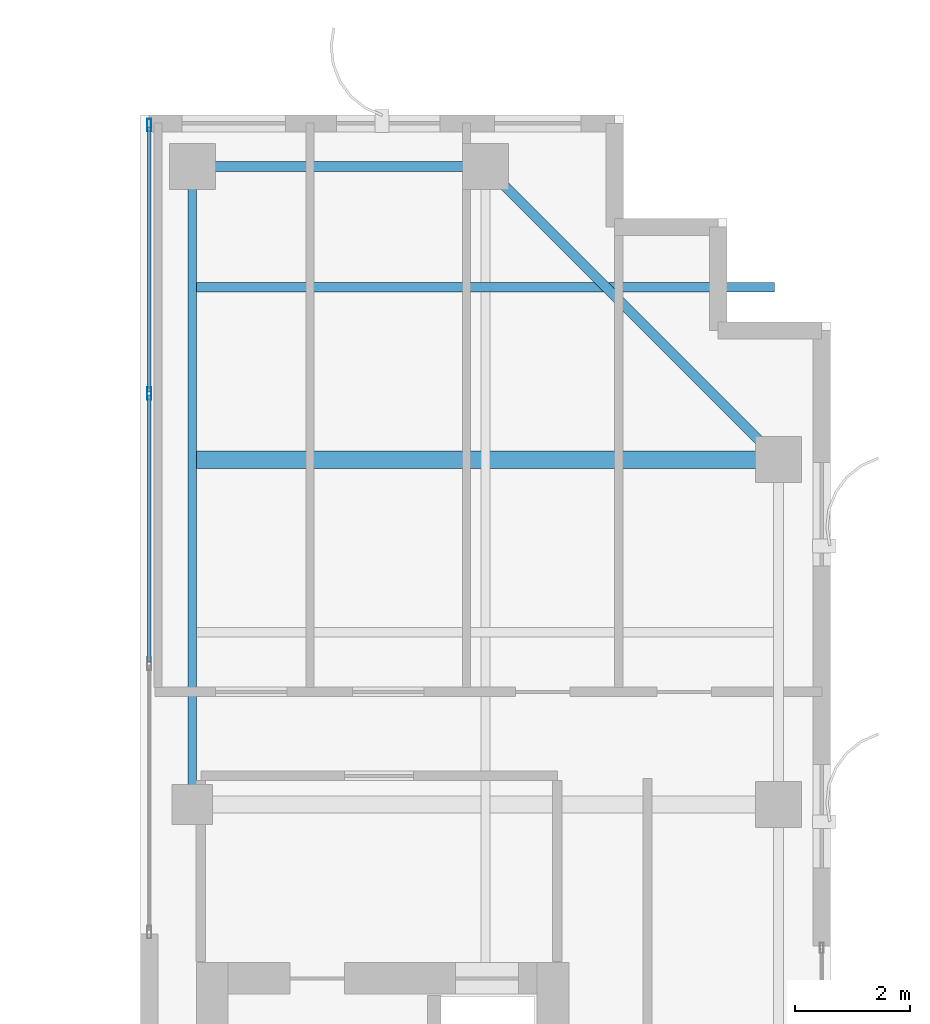
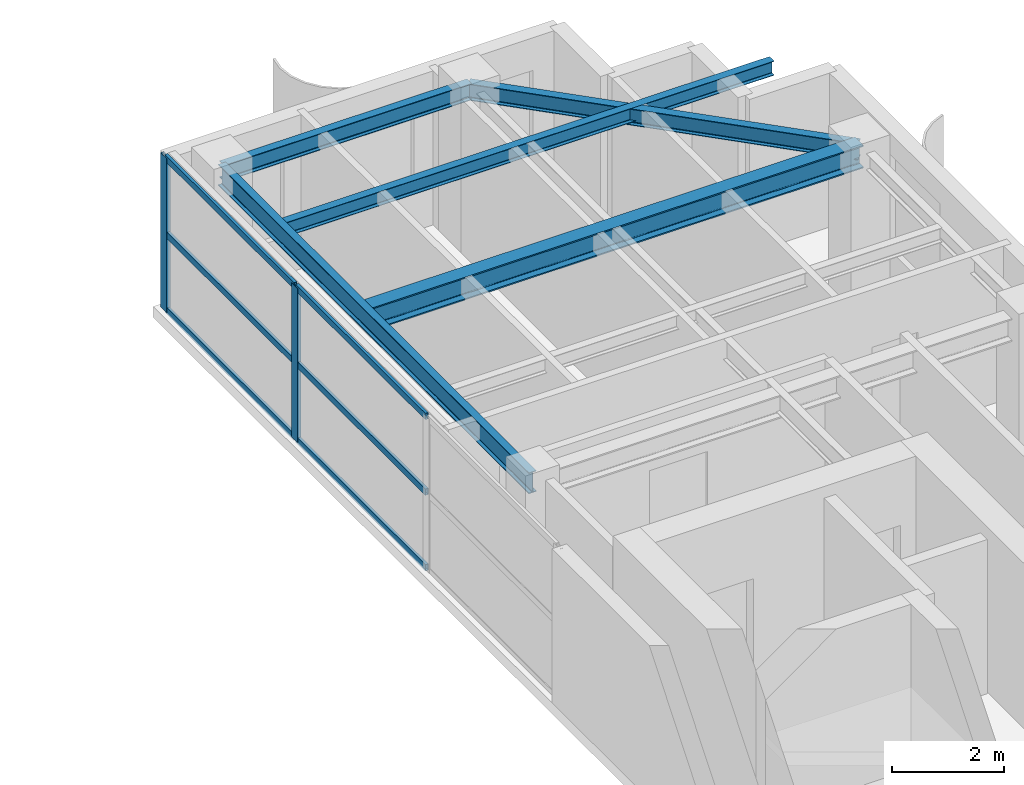
# One storey, part 15 of 23: 8 members, 5 beams, 1 element without a shape of its own.
"""IFC4 building model written with IfcOpenShell, lengths in metres."""

import ifcopenshell
import ifcopenshell.guid

model = None  # the IFC model being written
_history = None  # IfcOwnerHistory: only IFC2X3 demands one
_inside = {}  # id of a spatial element -> (the spatial element, [elements in it])
_under = {}  # id of a project, library or spatial element -> (it, [spatial elements below it])
_declared = {}  # id of a project -> (the project, [libraries it declares])
_typed = {}  # id of a type object -> (the type object, [elements of that type])
_made_of = {}  # id of a material, layer set ... -> (it, [elements and type objects made of it])


def new_model(schema):
    """Start an empty IFC model of exactly this schema.

    Asked for "IFC4X3", IfcOpenShell would pick the latest addendum, in which some entities
    have other attributes; the version numbers below select the first issue.
    IFC2X3 requires an IfcOwnerHistory on every rooted entity: one is made here for all.
    """
    global model, _history
    if schema == "IFC4X3":
        model = ifcopenshell.file(schema_version=(4, 3, 0, 0))
    else:
        model = ifcopenshell.file(schema=schema)
    _inside.clear()
    _under.clear()
    _declared.clear()
    _typed.clear()
    _made_of.clear()
    _history = None
    if model.schema == "IFC2X3":
        org = make("IfcOrganization", Name="unknown")
        user = make(
            "IfcPersonAndOrganization",
            ThePerson=make("IfcPerson", FamilyName="unknown"),
            TheOrganization=org,
        )
        app = make(
            "IfcApplication",
            ApplicationDeveloper=org,
            Version="unknown",
            ApplicationFullName="unknown",
            ApplicationIdentifier="unknown",
        )
        _history = make(
            "IfcOwnerHistory",
            OwningUser=user,
            OwningApplication=app,
            ChangeAction="ADDED",
            CreationDate=0,
        )
    return model


def make(cls, **values):
    """One entity of the class cls with the attributes given. An attribute that is None is left unset."""
    return model.create_entity(
        cls, **{name: value for name, value in values.items() if value is not None}
    )


def rooted(cls, **values):
    """An entity with a GlobalId (a new one), such as an element, a storey or a relation."""
    return make(cls, GlobalId=ifcopenshell.guid.new(), OwnerHistory=_history, **values)


def si_unit(unit_type, name, prefix=None):
    """IfcSIUnit, for example si_unit("LENGTHUNIT", "METRE", prefix="MILLI")."""
    return make("IfcSIUnit", UnitType=unit_type, Prefix=prefix, Name=name)


def assignment(units):
    """IfcUnitAssignment: the units of a project."""
    return None if units is None else make("IfcUnitAssignment", Units=units)


def point(xyz):
    """IfcCartesianPoint."""
    return None if xyz is None else make("IfcCartesianPoint", Coordinates=xyz)


def direction(xyz):
    """IfcDirection."""
    return None if xyz is None else make("IfcDirection", DirectionRatios=xyz)


def frame(location, z_axis=None, x_axis=None):
    """IfcAxis2Placement3D, a coordinate frame: its origin and axes. An axis left out is left unset."""
    return make(
        "IfcAxis2Placement3D",
        Location=point(location),
        Axis=direction(z_axis),
        RefDirection=direction(x_axis),
    )


def frame_2d(location, x_axis=None):
    """IfcAxis2Placement2D, a coordinate frame in the plane: its origin and x axis."""
    return make(
        "IfcAxis2Placement2D", Location=point(location), RefDirection=direction(x_axis)
    )


def origin():
    """The frame at (0, 0, 0) with its axes left unset."""
    return frame((0.0, 0.0, 0.0))


def origin_2d():
    """The frame at (0, 0) in the plane with its x axis left unset."""
    return frame_2d((0.0, 0.0))


def place(relative_to, where):
    """IfcLocalPlacement: puts the frame where relative to a parent placement (None: the world)."""
    return make(
        "IfcLocalPlacement", PlacementRelTo=relative_to, RelativePlacement=where
    )


def context(
    kind, dimensions, precision=None, world=None, true_north=None, identifier=None
):
    """IfcGeometricRepresentationContext, for example the 3D "Model" context."""
    return make(
        "IfcGeometricRepresentationContext",
        ContextIdentifier=identifier,
        ContextType=kind,
        CoordinateSpaceDimension=dimensions,
        Precision=precision,
        WorldCoordinateSystem=world,
        TrueNorth=true_north,
    )


def subcontext(parent, identifier, kind, view, scale=None):
    """IfcGeometricRepresentationSubContext, for example "Body" below "Model"."""
    return make(
        "IfcGeometricRepresentationSubContext",
        ContextIdentifier=identifier,
        ContextType=kind,
        ParentContext=parent,
        TargetScale=scale,
        TargetView=view,
    )


def project(units=None, contexts=None):
    """IfcProject with its units and contexts."""
    return rooted(
        "IfcProject",
        Name="project",
        RepresentationContexts=contexts,
        UnitsInContext=assignment(units),
    )


def spatial(cls, under=None, at=None, **own):
    """A site, building, storey or space (cls), placed at a placement, below another one or the project."""
    s = rooted(cls, ObjectPlacement=at, **own)
    if under is not None:
        _under.setdefault(under.id(), (under, []))[1].append(s)
    return s


def profile(cls, at=None, kind="AREA", **sizes):
    """A parametric profile (cls). Its sizes go by their IFC names, for example OverallWidth=200.0."""
    return make(cls, ProfileType=kind, Position=at, **sizes)


def hollow_rectangle(**sizes):
    """IfcRectangleHollowProfileDef."""
    return profile("IfcRectangleHollowProfileDef", **sizes)


def i_section(**sizes):
    """IfcIShapeProfileDef."""
    return profile("IfcIShapeProfileDef", **sizes)


def extrude(swept, where, along, depth):
    """IfcExtrudedAreaSolid: the profile swept, set in the frame where, extruded along a direction by depth."""
    return make(
        "IfcExtrudedAreaSolid",
        SweptArea=swept,
        Position=where,
        ExtrudedDirection=direction(along),
        Depth=depth,
    )


def shape(context_of_items, identifier, shape_type, items):
    """IfcShapeRepresentation: the items that make up one representation, for example the "Body"."""
    return make(
        "IfcShapeRepresentation",
        ContextOfItems=context_of_items,
        RepresentationIdentifier=identifier,
        RepresentationType=shape_type,
        Items=items,
    )


def source(mapping_origin, context_of_items, identifier, shape_type, items):
    """IfcRepresentationMap: a shape defined once, which mapped items show again and again."""
    return make(
        "IfcRepresentationMap",
        MappingOrigin=mapping_origin,
        MappedRepresentation=shape(context_of_items, identifier, shape_type, items),
    )


def transform(
    local_origin,
    x_axis=None,
    y_axis=None,
    z_axis=None,
    scale=None,
    scale2=None,
    scale3=None,
    uniform=True,
):
    """IfcCartesianTransformationOperator3D, or its non-uniform kind. x_axis, y_axis, z_axis: its Axis1, 2, 3."""
    if uniform:
        return make(
            "IfcCartesianTransformationOperator3D",
            Axis1=direction(x_axis),
            Axis2=direction(y_axis),
            LocalOrigin=point(local_origin),
            Scale=scale,
            Axis3=direction(z_axis),
        )
    return make(
        "IfcCartesianTransformationOperator3DnonUniform",
        Axis1=direction(x_axis),
        Axis2=direction(y_axis),
        LocalOrigin=point(local_origin),
        Scale=scale,
        Axis3=direction(z_axis),
        Scale2=scale2,
        Scale3=scale3,
    )


def mapped(mapping_source, mapping_target):
    """IfcMappedItem: shows the shape of a source again, moved by a transform."""
    return make(
        "IfcMappedItem", MappingSource=mapping_source, MappingTarget=mapping_target
    )


def material(Name=None, Category=None):
    """IfcMaterial."""
    return make("IfcMaterial", Name=Name, Category=Category)


def layer(
    of_material, thickness, ventilated=None, Name=None, Category=None, Priority=None
):
    """IfcMaterialLayer: one layer of a wall or slab, of a material (None: an air gap)."""
    return make(
        "IfcMaterialLayer",
        Material=of_material,
        LayerThickness=thickness,
        IsVentilated=ventilated,
        Name=Name,
        Category=Category,
        Priority=Priority,
    )


def layer_set(layers, Name=None):
    """IfcMaterialLayerSet."""
    return make("IfcMaterialLayerSet", MaterialLayers=layers, LayerSetName=Name)


def material_profile(
    of_material, cross_section, Name=None, Category=None, Priority=None
):
    """IfcMaterialProfile: a cross section and its material."""
    return make(
        "IfcMaterialProfile",
        Name=Name,
        Material=of_material,
        Profile=cross_section,
        Priority=Priority,
        Category=Category,
    )


def profile_set(profiles, Name=None, composite=None):
    """IfcMaterialProfileSet."""
    return make(
        "IfcMaterialProfileSet",
        Name=Name,
        MaterialProfiles=profiles,
        CompositeProfile=composite,
    )


def made_of(thing, what):
    """Note that an element or type object is made of a material, layer set ...; save() writes the relation."""
    if what is not None:
        _made_of.setdefault(what.id(), (what, []))[1].append(thing)
    return thing


def type_object(cls, material=None, **own):
    """A type object (cls), such as IfcWallType, which elements share."""
    return made_of(rooted(cls, **own), material)


def element(
    cls,
    number,
    at=None,
    inside=None,
    cuts=None,
    type_object=None,
    material=None,
    context=None,
    identifier="Body",
    shape_type=None,
    held_by="IfcProductDefinitionShape",
    body=None,
    shapes=None,
    **own,
):
    """One element of the class cls, such as IfcWall. Its Tag is "e" and its number.

    at: its placement. inside: the storey or other place that contains it. cuts: it is an
    opening in that element (IfcRelVoidsElement). A single representation is given by context,
    identifier, shape_type and body (its items); several are given by shapes. held_by: the class
    of the entity that holds the representations. save() writes the other relations.
    """
    e = rooted(cls, Tag="e%d" % number, ObjectPlacement=at, **own)
    if body is not None:
        shapes = [shape(context, identifier, shape_type, body)]
    if shapes is not None:
        e.Representation = make(held_by, Representations=shapes)
    if inside is not None:
        _inside.setdefault(inside.id(), (inside, []))[1].append(e)
    if cuts is not None:
        rooted(
            "IfcRelVoidsElement", RelatingBuildingElement=cuts, RelatedOpeningElement=e
        )
    if type_object is not None:
        _typed.setdefault(type_object.id(), (type_object, []))[1].append(e)
    return made_of(e, material)


def aggregate(whole, parts):
    """IfcRelAggregates: a whole, such as a stair, and the parts it consists of."""
    return rooted("IfcRelAggregates", RelatingObject=whole, RelatedObjects=parts)


def save(model, path):
    """Write the relations noted so far, then the file.

    IfcRelAggregates (storeys below a building ...), IfcRelContainedInSpatialStructure (elements
    in a storey), IfcRelDefinesByType, IfcRelAssociatesMaterial and IfcRelDeclares: one each for
    every whole, place, type object, material and project.
    """
    for whole, parts in _under.values():
        aggregate(whole, parts)
    for where, things in _inside.values():
        rooted(
            "IfcRelContainedInSpatialStructure",
            RelatedElements=things,
            RelatingStructure=where,
        )
    for kind, things in _typed.values():
        rooted("IfcRelDefinesByType", RelatedObjects=things, RelatingType=kind)
    for what, things in _made_of.values():
        rooted("IfcRelAssociatesMaterial", RelatedObjects=things, RelatingMaterial=what)
    for by, libraries in _declared.values():
        rooted("IfcRelDeclares", RelatingContext=by, RelatedDefinitions=libraries)
    model.write(path)


model = new_model("IFC4")

# Units and contexts
model_context = context("Model", 3, precision=1e-05, world=origin(), true_north=direction((0.0, 1.0)))
body_context = subcontext(model_context, "Body", "Model", "MODEL_VIEW")
ifc_project = project(units=[si_unit("LENGTHUNIT", "METRE"), si_unit("AREAUNIT", "SQUARE_METRE"), si_unit("VOLUMEUNIT", "CUBIC_METRE"), si_unit("PLANEANGLEUNIT", "RADIAN"), si_unit("MASSUNIT", "GRAM", prefix="KILO")], contexts=[model_context])

# Site, building, storey
site_placement = place(None, origin())
site = spatial("IfcSite", under=ifc_project, at=site_placement, CompositionType="ELEMENT")
building_placement = place(site_placement, origin())
building = spatial("IfcBuilding", under=site, at=building_placement, Name="Khoralis Quay Care Tower", CompositionType="ELEMENT")
storey_placement = place(building_placement, frame((0.0, 0.0, 245.699951171875)))
storey = spatial("IfcBuildingStorey", under=building, at=storey_placement, Name="L64", CompositionType="ELEMENT", Elevation=245.699951171875)

# Beams
ifc_material_1 = material(Name="Steel S355", Category="steel")
ifc_material_profile_1 = material_profile(ifc_material_1, i_section(OverallWidth=0.169921875, OverallDepth=0.360107421875, WebThickness=0.008056640625, FlangeThickness=0.0126953125, FilletRadius=0.01806640625, at=origin_2d()), Name="Steel S355")
ifc_profile_set_1 = profile_set([ifc_material_profile_1], Name="Steel S355")
beam_type_1 = type_object("IfcBeamType", Name="BM-IPE360", PredefinedType="SPANDREL", material=ifc_profile_set_1)
shared_shape_1 = source(origin(), body_context, "Body", "SweptSolid", [
    extrude(i_section(OverallWidth=0.169921875, OverallDepth=0.360107421875, WebThickness=0.008056640625, FlangeThickness=0.0126953125, FilletRadius=0.01806640625, at=origin_2d()), origin(), (0.0, 0.0, 1.0), 5.10009765625),
])
beam_1_placement = place(storey_placement, frame((30.89990234375, 41.10009765625, 3.179931640625), z_axis=(1.0, 0.0, 0.0), x_axis=(0.0, 1.0, 0.0)))
element("IfcBeam", 1, at=beam_1_placement, inside=storey, type_object=beam_type_1, Name="BM-TSP-L64-04", PredefinedType="SPANDREL", context=body_context, shape_type="MappedRepresentation", body=[
    mapped(shared_shape_1, transform((0.0, 0.0, 0.0), scale=1.0)),
])
ifc_material_profile_2 = material_profile(ifc_material_1, i_section(OverallWidth=0.154052734375, OverallDepth=0.458984375, WebThickness=0.009033203125, FlangeThickness=0.015380859375, FilletRadius=0.014892578125, at=origin_2d()), Name="Steel S355")
ifc_profile_set_2 = profile_set([ifc_material_profile_2], Name="Steel S355")
beam_type_2 = type_object("IfcBeamType", Name="BM-W460X68", PredefinedType="BEAM", material=ifc_profile_set_2)
shared_shape_2 = source(origin(), body_context, "Body", "SweptSolid", [
    extrude(i_section(OverallWidth=0.154052734375, OverallDepth=0.458984375, WebThickness=0.009033203125, FlangeThickness=0.015380859375, FilletRadius=0.014892578125, at=origin_2d()), origin(), (0.0, 0.0, 1.0), 11.10009765625),
])
beam_2_placement = place(storey_placement, frame((30.89990234375, 30.0, 3.130615234375), z_axis=(0.0, 1.0, 0.0), x_axis=(-1.0, 0.0, 0.0)))
element("IfcBeam", 2, at=beam_2_placement, inside=storey, type_object=beam_type_2, Name="BM-TGYN-L64-309", PredefinedType="BEAM", context=body_context, shape_type="MappedRepresentation", body=[
    mapped(shared_shape_2, transform((0.0, 0.0, 0.0), scale=1.0)),
])
shared_shape_3 = source(origin(), body_context, "Body", "SweptSolid", [
    extrude(i_section(OverallWidth=0.169921875, OverallDepth=0.360107421875, WebThickness=0.008056640625, FlangeThickness=0.0126953125, FilletRadius=0.01806640625, at=origin_2d()), origin(), (0.0, 0.0, 1.0), 7.212646484375),
])
beam_3_placement = place(storey_placement, frame((36.0, 41.10009765625, 3.179931640625), z_axis=(0.707106781187, -0.707106781187, 0.0), x_axis=(0.707106781187, 0.707106781187, 0.0)))
element("IfcBeam", 3, at=beam_3_placement, inside=storey, type_object=beam_type_1, Name="BM-TCR-L64-16", PredefinedType="SPANDREL", context=body_context, shape_type="MappedRepresentation", body=[
    mapped(shared_shape_3, transform((0.0, 0.0, 0.0), scale=1.0)),
])
ifc_material_profile_3 = material_profile(ifc_material_1, i_section(OverallWidth=0.300048828125, OverallDepth=0.5, WebThickness=0.014404296875, FlangeThickness=0.028076171875, FilletRadius=0.027099609375, at=origin_2d()), Name="Steel S355")
ifc_profile_set_3 = profile_set([ifc_material_profile_3], Name="Steel S355")
beam_type_3 = type_object("IfcBeamType", Name="BM-HEB500", PredefinedType="BEAM", material=ifc_profile_set_3)
shared_shape_4 = source(origin(), body_context, "Body", "SweptSolid", [
    extrude(i_section(OverallWidth=0.300048828125, OverallDepth=0.5, WebThickness=0.014404296875, FlangeThickness=0.028076171875, FilletRadius=0.027099609375, at=origin_2d()), origin(), (0.0, 0.0, 1.0), 10.135009765625),
])
beam_4_placement = place(storey_placement, frame((30.965087890625, 36.0, 3.110107421875), z_axis=(1.0, 0.0, 0.0), x_axis=(0.0, 1.0, 0.0)))
element("IfcBeam", 4, at=beam_4_placement, inside=storey, type_object=beam_type_3, Name="BM-TGXE-L64-360", PredefinedType="BEAM", context=body_context, shape_type="MappedRepresentation", body=[
    mapped(shared_shape_4, transform((0.0, 0.0, 0.0), scale=1.0)),
])
ifc_material_profile_4 = material_profile(ifc_material_1, i_section(OverallWidth=0.1650390625, OverallDepth=0.31005859375, WebThickness=0.005859375, FlangeThickness=0.009765625, FilletRadius=0.011962890625, at=origin_2d()), Name="Steel S355")
ifc_profile_set_4 = profile_set([ifc_material_profile_4], Name="Steel S355")
beam_type_4 = type_object("IfcBeamType", Name="BM-W310X39", PredefinedType="JOIST", material=ifc_profile_set_4)
shared_shape_5 = source(origin(), body_context, "Body", "SweptSolid", [
    extrude(i_section(OverallWidth=0.1650390625, OverallDepth=0.31005859375, WebThickness=0.005859375, FlangeThickness=0.009765625, FilletRadius=0.011962890625, at=origin_2d()), origin(), (0.0, 0.0, 1.0), 10.06396484375),
])
beam_5_placement = place(storey_placement, frame((30.965087890625, 39.0, 3.205078125), z_axis=(1.0, 0.0, 0.0), x_axis=(0.0, 1.0, 0.0)))
element("IfcBeam", 5, at=beam_5_placement, inside=storey, type_object=beam_type_4, Name="BM-TJS-L64-22", PredefinedType="JOIST", context=body_context, shape_type="MappedRepresentation", body=[
    mapped(shared_shape_5, transform((0.0, 0.0, 0.0), scale=1.0)),
])

# Curtain wall, members
ifc_material_2 = material(Name="Pale anodised aluminium", Category="aluminium")
ifc_layer = layer(ifc_material_2, 0.18994140625)
ifc_layer_set = layer_set([ifc_layer], Name="Pale anodised aluminium")
curtain_wall_type = type_object("IfcCurtainWallType", Name="CW-SYS-PORTAL", PredefinedType="NOTDEFINED", material=ifc_layer_set)
curtain_wall_placement = place(storey_placement, origin())
curtain_wall = element("IfcCurtainWall", 6, at=curtain_wall_placement, inside=storey, type_object=curtain_wall_type, Name="L64 Unitised Curtain Wall CW-VP-L64-P2-N", PredefinedType="NOTDEFINED")
ifc_material_profile_5 = material_profile(ifc_material_2, hollow_rectangle(XDim=0.06005859375, YDim=0.139892578125, WallThickness=0.00390625, at=origin_2d()), Name="Pale anodised aluminium")
ifc_profile_set_5 = profile_set([ifc_material_profile_5], Name="Pale anodised aluminium")
member_type_1 = type_object("IfcMemberType", Name="CW-TRN-140", PredefinedType="USERDEFINED", material=ifc_profile_set_5)
shared_shape_6 = source(origin(), body_context, "Body", "SweptSolid", [
    extrude(hollow_rectangle(XDim=0.06005859375, YDim=0.139892578125, WallThickness=0.00390625, at=origin_2d()), origin(), (0.0, 0.0, 1.0), 4.610107421875),
])
member_1_placement = place(storey_placement, frame((30.14990234375, 37.179931640625, 0.030029296875), z_axis=(0.0, 1.0, 0.0), x_axis=(-1.0, 0.0, 0.0)))
member_1 = element("IfcMember", 7, at=member_1_placement, type_object=member_type_1, Name="CW4 transom 3.1", ObjectType="TRANSOM", PredefinedType="USERDEFINED", context=body_context, shape_type="MappedRepresentation", body=[
    mapped(shared_shape_6, transform((0.0, 0.0, 0.0), scale=1.0)),
])
member_2_placement = place(storey_placement, frame((30.14990234375, 37.179931640625, 1.679931640625), z_axis=(0.0, 1.0, 0.0), x_axis=(-1.0, 0.0, 0.0)))
member_2 = element("IfcMember", 8, at=member_2_placement, type_object=member_type_1, Name="CW4 transom 3.2", ObjectType="TRANSOM", PredefinedType="USERDEFINED", context=body_context, shape_type="MappedRepresentation", body=[
    mapped(shared_shape_6, transform((0.0, 0.0, 0.0), scale=1.0)),
])
member_3_placement = place(storey_placement, frame((30.14990234375, 37.179931640625, 3.330078125), z_axis=(0.0, 1.0, 0.0), x_axis=(-1.0, 0.0, 0.0)))
member_3 = element("IfcMember", 9, at=member_3_placement, type_object=member_type_1, Name="CW4 transom 3.3", ObjectType="TRANSOM", PredefinedType="USERDEFINED", context=body_context, shape_type="MappedRepresentation", body=[
    mapped(shared_shape_6, transform((0.0, 0.0, 0.0), scale=1.0)),
])
shared_shape_7 = source(origin(), body_context, "Body", "SweptSolid", [
    extrude(hollow_rectangle(XDim=0.06005859375, YDim=0.139892578125, WallThickness=0.00390625, at=origin_2d()), origin(), (0.0, 0.0, 1.0), 4.64013671875),
])
member_4_placement = place(storey_placement, frame((30.14990234375, 32.47998046875, 0.030029296875), z_axis=(0.0, 1.0, 0.0), x_axis=(-1.0, 0.0, 0.0)))
member_4 = element("IfcMember", 10, at=member_4_placement, type_object=member_type_1, Name="CW4 transom 2.1", ObjectType="TRANSOM", PredefinedType="USERDEFINED", context=body_context, shape_type="MappedRepresentation", body=[
    mapped(shared_shape_7, transform((0.0, 0.0, 0.0), scale=1.0)),
])
member_5_placement = place(storey_placement, frame((30.14990234375, 32.47998046875, 1.679931640625), z_axis=(0.0, 1.0, 0.0), x_axis=(-1.0, 0.0, 0.0)))
member_5 = element("IfcMember", 11, at=member_5_placement, type_object=member_type_1, Name="CW4 transom 2.2", ObjectType="TRANSOM", PredefinedType="USERDEFINED", context=body_context, shape_type="MappedRepresentation", body=[
    mapped(shared_shape_7, transform((0.0, 0.0, 0.0), scale=1.0)),
])
member_6_placement = place(storey_placement, frame((30.14990234375, 32.47998046875, 3.330078125), z_axis=(0.0, 1.0, 0.0), x_axis=(-1.0, 0.0, 0.0)))
member_6 = element("IfcMember", 12, at=member_6_placement, type_object=member_type_1, Name="CW4 transom 2.3", ObjectType="TRANSOM", PredefinedType="USERDEFINED", context=body_context, shape_type="MappedRepresentation", body=[
    mapped(shared_shape_7, transform((0.0, 0.0, 0.0), scale=1.0)),
])
ifc_material_profile_6 = material_profile(ifc_material_2, hollow_rectangle(XDim=0.074951171875, YDim=0.219970703125, WallThickness=0.00390625, at=origin_2d()), Name="Pale anodised aluminium")
ifc_profile_set_6 = profile_set([ifc_material_profile_6], Name="Pale anodised aluminium")
member_type_2 = type_object("IfcMemberType", Name="CW-MUL-220", PredefinedType="MULLION", material=ifc_profile_set_6)
shared_shape_8 = source(origin(), body_context, "Body", "SweptSolid", [
    extrude(hollow_rectangle(XDim=0.074951171875, YDim=0.219970703125, WallThickness=0.00390625, at=origin_2d()), origin(), (0.0, 0.0, 1.0), 3.360107421875),
])
member_7_placement = place(storey_placement, frame((30.14990234375, 37.14990234375, 0.0), z_axis=(0.0, 0.0, 1.0), x_axis=(-1.0, 0.0, 0.0)))
member_7 = element("IfcMember", 13, at=member_7_placement, type_object=member_type_2, Name="CW4 mullion 3", PredefinedType="MULLION", context=body_context, shape_type="MappedRepresentation", body=[
    mapped(shared_shape_8, transform((0.0, 0.0, 0.0), scale=1.0)),
])
member_8_placement = place(storey_placement, frame((30.14990234375, 41.820068359375, 0.0), z_axis=(0.0, 0.0, 1.0), x_axis=(-1.0, 0.0, 0.0)))
member_8 = element("IfcMember", 14, at=member_8_placement, type_object=member_type_2, Name="CW4 mullion 4", PredefinedType="MULLION", context=body_context, shape_type="MappedRepresentation", body=[
    mapped(shared_shape_8, transform((0.0, 0.0, 0.0), scale=1.0)),
])
aggregate(curtain_wall, [member_7, member_8, member_4, member_5, member_6, member_1, member_2, member_3])

save(model, "model.ifc")
